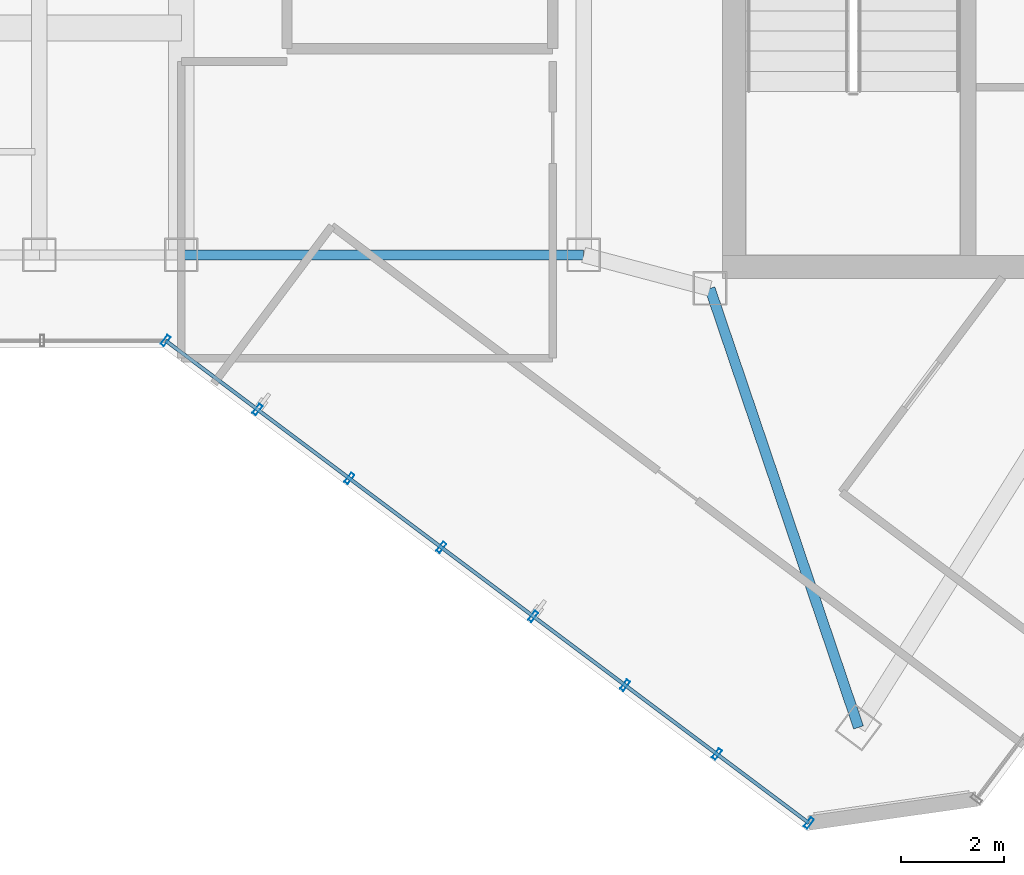
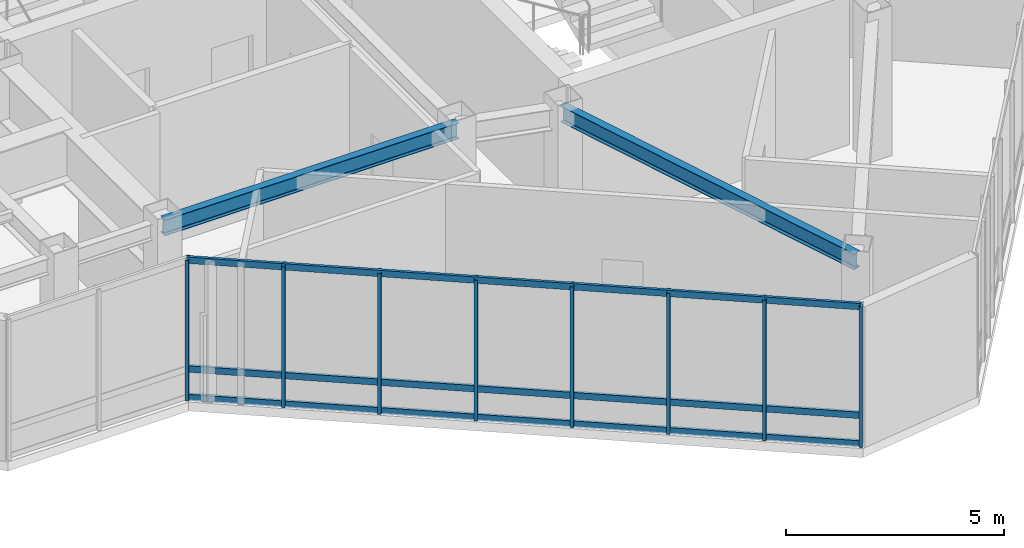
# One storey, part 3 of 22: 11 members, 2 beams, 1 element without a shape of its own.
"""IFC4 building model written with IfcOpenShell, lengths in metres."""

from ifc_helpers import new_model, si_unit, direction, frame, origin, origin_2d, place, context, subcontext, project, spatial, hollow_rectangle, i_section, extrude, material, layer, layer_set, material_profile, profile_set, type_object, element, aggregate, save


model = new_model("IFC4")

# Units and contexts
model_context = context("Model", 3, precision=1e-05, world=origin(), true_north=direction((0.0, 1.0)))
body_context = subcontext(model_context, "Body", "Model", "MODEL_VIEW")
ifc_project = project(units=[si_unit("LENGTHUNIT", "METRE"), si_unit("AREAUNIT", "SQUARE_METRE"), si_unit("VOLUMEUNIT", "CUBIC_METRE"), si_unit("PLANEANGLEUNIT", "RADIAN"), si_unit("MASSUNIT", "GRAM", prefix="KILO")], contexts=[model_context])

# Site, building, storey
site_placement = place(None, origin())
site = spatial("IfcSite", under=ifc_project, at=site_placement, CompositionType="ELEMENT")
building_placement = place(site_placement, origin())
building = spatial("IfcBuilding", under=site, at=building_placement, Name="Hatsunagi Terrace Concourse", CompositionType="ELEMENT")
storey_placement = place(building_placement, frame((0.0, 0.0, 257.550048828125)))
storey = spatial("IfcBuildingStorey", under=building, at=storey_placement, Name="L68", CompositionType="ELEMENT", Elevation=257.550048828125)

# Curtain wall, members
ifc_material_1 = material(Name="Anodised Aluminium Alloy 6063-T5", Category="aluminium")
ifc_layer = layer(ifc_material_1, 0.199951171875)
ifc_layer_set = layer_set([ifc_layer], Name="SkyLobbyAtrium_CW05")
curtain_wall_type = type_object("IfcCurtainWallType", Name="SkyLobbyAtrium_CW05", PredefinedType="NOTDEFINED", material=ifc_layer_set)
curtain_wall_placement = place(storey_placement, origin())
curtain_wall = element("IfcCurtainWall", 1, at=curtain_wall_placement, inside=storey, type_object=curtain_wall_type, Name="Unitised Curtain Wall CW-05 CW-L68-10", PredefinedType="NOTDEFINED")
ifc_material_2 = material(Name="Anodised Aluminium Alloy 6063-T5", Category="aluminium")
ifc_material_profile_1 = material_profile(ifc_material_2, hollow_rectangle(XDim=0.080078125, YDim=0.219970703125, WallThickness=0.0048828125, at=origin_2d()), Name="ALU-MUL-220x80x5")
ifc_profile_set_1 = profile_set([ifc_material_profile_1], Name="Anodised Aluminium Alloy 6063-T5")
member_type_1 = type_object("IfcMemberType", Name="CurtainWallMullion_Heavy_220x80", PredefinedType="MULLION", material=ifc_profile_set_1)
member_1_placement = place(storey_placement, frame((37.718017578125, 14.18701171875, 0.0), z_axis=(0.0, 0.0, 1.0), x_axis=(-0.800007305671, 0.599990258982, 0.0)))
member_1 = element("IfcMember", 2, at=member_1_placement, type_object=member_type_1, Name="Curtain Wall Mullion MUL-01", PredefinedType="MULLION", context=body_context, shape_type="SweptSolid", body=[
    extrude(hollow_rectangle(XDim=0.080078125, YDim=0.219970703125, WallThickness=0.0048828125, at=origin_2d()), origin(), (0.0, 0.0, 1.0), 3.949951171875),
])
member_2_placement = place(storey_placement, frame((35.93603515625, 15.52294921875, 0.0), z_axis=(0.0, 0.0, 1.0), x_axis=(-0.800007305671, 0.599990258982, 0.0)))
member_2 = element("IfcMember", 3, at=member_2_placement, type_object=member_type_1, Name="Curtain Wall Mullion MUL-01", PredefinedType="MULLION", context=body_context, shape_type="SweptSolid", body=[
    extrude(hollow_rectangle(XDim=0.080078125, YDim=0.219970703125, WallThickness=0.0048828125, at=origin_2d()), origin(), (0.0, 0.0, 1.0), 3.949951171875),
])
member_3_placement = place(storey_placement, frame((34.155029296875, 16.85888671875, 0.0), z_axis=(0.0, 0.0, 1.0), x_axis=(-0.800007305671, 0.599990258982, 0.0)))
member_3 = element("IfcMember", 4, at=member_3_placement, type_object=member_type_1, Name="Curtain Wall Mullion MUL-01", PredefinedType="MULLION", context=body_context, shape_type="SweptSolid", body=[
    extrude(hollow_rectangle(XDim=0.080078125, YDim=0.219970703125, WallThickness=0.0048828125, at=origin_2d()), origin(), (0.0, 0.0, 1.0), 3.949951171875),
])
member_4_placement = place(storey_placement, frame((32.373046875, 18.195068359375, 0.0), z_axis=(0.0, 0.0, 1.0), x_axis=(-0.800007305671, 0.599990258982, 0.0)))
member_4 = element("IfcMember", 5, at=member_4_placement, type_object=member_type_1, Name="Curtain Wall Mullion MUL-01", PredefinedType="MULLION", context=body_context, shape_type="SweptSolid", body=[
    extrude(hollow_rectangle(XDim=0.080078125, YDim=0.219970703125, WallThickness=0.0048828125, at=origin_2d()), origin(), (0.0, 0.0, 1.0), 3.949951171875),
])
member_5_placement = place(storey_placement, frame((30.592041015625, 19.531982421875, 0.0), z_axis=(0.0, 0.0, 1.0), x_axis=(-0.800007305671, 0.599990258982, 0.0)))
member_5 = element("IfcMember", 6, at=member_5_placement, type_object=member_type_1, Name="Curtain Wall Mullion MUL-01", PredefinedType="MULLION", context=body_context, shape_type="SweptSolid", body=[
    extrude(hollow_rectangle(XDim=0.080078125, YDim=0.219970703125, WallThickness=0.0048828125, at=origin_2d()), origin(), (0.0, 0.0, 1.0), 3.949951171875),
])
member_6_placement = place(storey_placement, frame((28.81005859375, 20.867919921875, 0.0), z_axis=(0.0, 0.0, 1.0), x_axis=(-0.800007305671, 0.599990258982, 0.0)))
member_6 = element("IfcMember", 7, at=member_6_placement, type_object=member_type_1, Name="Curtain Wall Mullion MUL-01", PredefinedType="MULLION", context=body_context, shape_type="SweptSolid", body=[
    extrude(hollow_rectangle(XDim=0.080078125, YDim=0.219970703125, WallThickness=0.0048828125, at=origin_2d()), origin(), (0.0, 0.0, 1.0), 3.949951171875),
])
member_7_placement = place(storey_placement, frame((27.029052734375, 22.2041015625, 0.0), z_axis=(0.0, 0.0, 1.0), x_axis=(-0.800007305671, 0.599990258982, 0.0)))
member_7 = element("IfcMember", 8, at=member_7_placement, type_object=member_type_1, Name="Curtain Wall Mullion MUL-01", PredefinedType="MULLION", context=body_context, shape_type="SweptSolid", body=[
    extrude(hollow_rectangle(XDim=0.080078125, YDim=0.219970703125, WallThickness=0.0048828125, at=origin_2d()), origin(), (0.0, 0.0, 1.0), 3.949951171875),
])
member_8_placement = place(storey_placement, frame((25.2470703125, 23.5400390625, 0.0), z_axis=(0.0, 0.0, 1.0), x_axis=(-0.800007305671, 0.599990258982, 0.0)))
member_8 = element("IfcMember", 9, at=member_8_placement, type_object=member_type_1, Name="Curtain Wall Mullion MUL-01", PredefinedType="MULLION", context=body_context, shape_type="SweptSolid", body=[
    extrude(hollow_rectangle(XDim=0.080078125, YDim=0.219970703125, WallThickness=0.0048828125, at=origin_2d()), origin(), (0.0, 0.0, 1.0), 3.949951171875),
])
ifc_material_3 = material(Name="Anodised Aluminium Alloy 6063-T5", Category="aluminium")
ifc_material_profile_2 = material_profile(ifc_material_3, hollow_rectangle(XDim=0.070068359375, YDim=0.179931640625, WallThickness=0.00390625, at=origin_2d()), Name="ALU-TRN-180x70x4")
ifc_profile_set_2 = profile_set([ifc_material_profile_2], Name="Anodised Aluminium Alloy 6063-T5")
member_type_2 = type_object("IfcMemberType", Name="CurtainWallTransom_Heavy_180x70", PredefinedType="USERDEFINED", material=ifc_profile_set_2)
member_9_placement = place(storey_placement, frame((37.718017578125, 14.18701171875, 0.050048828125), z_axis=(-0.800005638109, 0.599992482448, 0.0), x_axis=(-0.599992482448, -0.800005638109, 0.0)))
member_9 = element("IfcMember", 10, at=member_9_placement, type_object=member_type_2, Name="Curtain Wall Transom TRN-01", ObjectType="TRANSOM", PredefinedType="USERDEFINED", context=body_context, shape_type="SweptSolid", body=[
    extrude(hollow_rectangle(XDim=0.070068359375, YDim=0.179931640625, WallThickness=0.00390625, at=origin_2d()), origin(), (0.0, 0.0, 1.0), 15.588623046875),
])
member_10_placement = place(storey_placement, frame((37.718017578125, 14.18701171875, 0.849853515625), z_axis=(-0.800005638109, 0.599992482448, 0.0), x_axis=(-0.599992482448, -0.800005638109, 0.0)))
member_10 = element("IfcMember", 11, at=member_10_placement, type_object=member_type_2, Name="Curtain Wall Transom TRN-01", ObjectType="TRANSOM", PredefinedType="USERDEFINED", context=body_context, shape_type="SweptSolid", body=[
    extrude(hollow_rectangle(XDim=0.070068359375, YDim=0.179931640625, WallThickness=0.00390625, at=origin_2d()), origin(), (0.0, 0.0, 1.0), 15.588623046875),
])
member_11_placement = place(storey_placement, frame((37.718017578125, 14.18701171875, 3.89990234375), z_axis=(-0.800005638109, 0.599992482448, 0.0), x_axis=(-0.599992482448, -0.800005638109, 0.0)))
member_11 = element("IfcMember", 12, at=member_11_placement, type_object=member_type_2, Name="Curtain Wall Transom TRN-01", ObjectType="TRANSOM", PredefinedType="USERDEFINED", context=body_context, shape_type="SweptSolid", body=[
    extrude(hollow_rectangle(XDim=0.070068359375, YDim=0.179931640625, WallThickness=0.00390625, at=origin_2d()), origin(), (0.0, 0.0, 1.0), 15.588623046875),
])
aggregate(curtain_wall, [member_1, member_2, member_3, member_4, member_5, member_6, member_7, member_8, member_9, member_10, member_11])

# Beams
ifc_material_4 = material(Name="Steel SN490B", Category="steel")
ifc_material_profile_3 = material_profile(ifc_material_4, i_section(OverallWidth=0.199951171875, OverallDepth=0.449951171875, WebThickness=0.009033203125, FlangeThickness=0.013916015625, FilletRadius=0.01611328125, at=origin_2d()), Name="H-450x200x9x14")
ifc_profile_set_3 = profile_set([ifc_material_profile_3], Name="Steel SN490B")
beam_type = type_object("IfcBeamType", Name="PerimeterSpandrel_H_450x200", PredefinedType="SPANDREL", material=ifc_profile_set_3)
beam_1_placement = place(storey_placement, frame((25.550048828125, 25.199951171875, 3.724853515625), z_axis=(1.0, 0.0, 0.0), x_axis=(0.0, 1.0, 0.0)))
element("IfcBeam", 13, at=beam_1_placement, inside=storey, type_object=beam_type, Name="Beam SP-02 BM-L68-WS-25", PredefinedType="SPANDREL", context=body_context, shape_type="SweptSolid", body=[
    extrude(i_section(OverallWidth=0.199951171875, OverallDepth=0.449951171875, WebThickness=0.009033203125, FlangeThickness=0.013916015625, FilletRadius=0.01611328125, at=origin_2d()), origin(), (0.0, 0.0, 1.0), 7.800048828125),
])
beam_2_placement = place(storey_placement, frame((35.800048828125, 24.550048828125, 3.724853515625), z_axis=(0.320553412271, -0.947230441805, 0.0), x_axis=(0.947230441805, 0.320553412271, 0.0)))
element("IfcBeam", 14, at=beam_2_placement, inside=storey, type_object=beam_type, Name="Beam SP-02 BM-L68-SE-SW0", PredefinedType="SPANDREL", context=body_context, shape_type="SweptSolid", body=[
    extrude(i_section(OverallWidth=0.199951171875, OverallDepth=0.449951171875, WebThickness=0.009033203125, FlangeThickness=0.013916015625, FilletRadius=0.01611328125, at=origin_2d()), origin(), (0.0, 0.0, 1.0), 8.984130859375),
])

save(model, "model.ifc")
